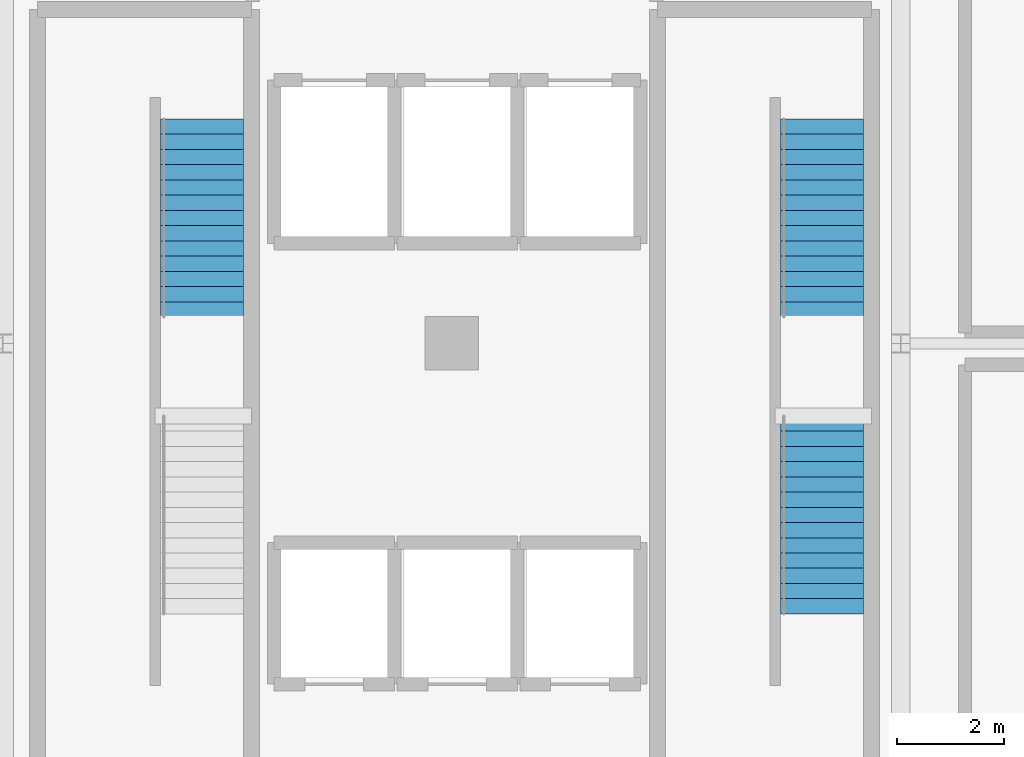
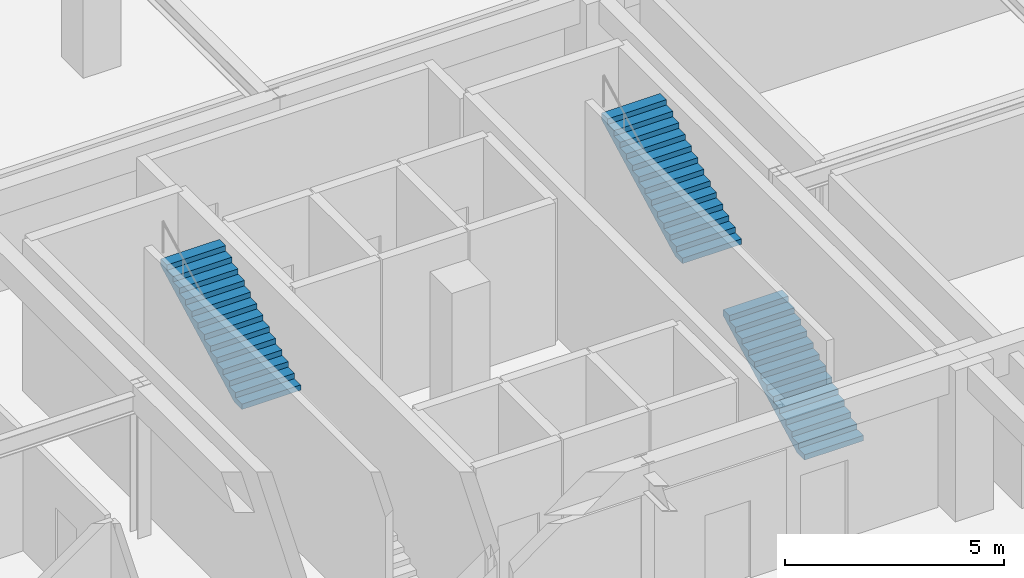
# One storey, part 30 of 32: 3 stair flights, 2 elements without a shape of their own.
"""IFC4 building model written with IfcOpenShell, lengths in metres."""

from ifc_helpers import new_model, si_unit, direction, frame, origin, place, context, subcontext, project, spatial, polyline, outline, extrude, material, layer, layer_set, type_object, element, aggregate, save


model = new_model("IFC4")

# Units and contexts
model_context = context("Model", 3, precision=1e-05, world=origin(), true_north=direction((0.0, 1.0)))
body_context = subcontext(model_context, "Body", "Model", "MODEL_VIEW")
ifc_project = project(units=[si_unit("LENGTHUNIT", "METRE"), si_unit("AREAUNIT", "SQUARE_METRE"), si_unit("VOLUMEUNIT", "CUBIC_METRE"), si_unit("PLANEANGLEUNIT", "RADIAN"), si_unit("MASSUNIT", "GRAM", prefix="KILO")], contexts=[model_context])

# Site, building, storey
site_placement = place(None, origin())
site = spatial("IfcSite", under=ifc_project, at=site_placement, CompositionType="ELEMENT")
building_placement = place(site_placement, origin())
building = spatial("IfcBuilding", under=site, at=building_placement, Name="Xuanlan Plaza Opera House", CompositionType="ELEMENT")
storey_placement = place(building_placement, frame((0.0, 0.0, 40.5)))
storey = spatial("IfcBuildingStorey", under=building, at=storey_placement, Name="L09", CompositionType="ELEMENT", Elevation=40.5)

# Stair, stair flight
ifc_material = material(Name="Concrete C40", Category="concrete")
stair_type = type_object("IfcStairType", Name="INT-ST-STR-T155", PredefinedType="STRAIGHT_RUN_STAIR", material=ifc_material)
stair_1_placement = place(storey_placement, origin())
stair_1 = element("IfcStair", 1, at=stair_1_placement, inside=storey, type_object=stair_type, Name="Protected Exit Stair ST-T1 L09", PredefinedType="STRAIGHT_RUN_STAIR")
ifc_layer = layer(ifc_material, 0.159912109375)
ifc_layer_set = layer_set([ifc_layer], Name="Concrete C40")
stair_flight_type = type_object("IfcStairFlightType", Name="INT-FL-FL-155", PredefinedType="STRAIGHT", material=ifc_layer_set)
stair_flight_1_placement = place(storey_placement, frame((138.125, 59.294921875, 2.10009765625), z_axis=(0.0, 0.0, 1.0), x_axis=(0.0, 1.0, 0.0)))
stair_flight_1 = element("IfcStairFlight", 2, at=stair_flight_1_placement, type_object=stair_flight_type, Name="ST-T1-L09 flight 2", NumberOfRisers=14, NumberOfTreads=13, PredefinedType="STRAIGHT", RiserHeight=0.15, TreadLength=0.285, context=body_context, shape_type="SweptSolid", body=[
    extrude(outline(polyline([(0.0, 0.0), (0.0, 0.14990234375), (0.284912109375, 0.14990234375), (0.284912109375, 0.300048828125), (0.570068359375, 0.300048828125), (0.570068359375, 0.449951171875), (0.85498046875, 0.449951171875), (0.85498046875, 0.60009765625), (1.139892578125, 0.60009765625), (1.139892578125, 0.75), (1.425048828125, 0.75), (1.425048828125, 0.89990234375), (1.7099609375, 0.89990234375), (1.7099609375, 1.050048828125), (1.9951171875, 1.050048828125), (1.9951171875, 1.199951171875), (2.280029296875, 1.199951171875), (2.280029296875, 1.35009765625), (2.56494140625, 1.35009765625), (2.56494140625, 1.5), (2.85009765625, 1.5), (2.85009765625, 1.64990234375), (3.135009765625, 1.64990234375), (3.135009765625, 1.800048828125), (3.419921875, 1.800048828125), (3.419921875, 1.949951171875), (3.705078125, 1.949951171875), (3.705078125, 2.10009765625), (3.705078125, 1.769287109375), (0.34326171875, 0.0), (0.0, 0.0)])), frame((0.0, 0.77490234375, 0.0), z_axis=(0.0, -1.0, 0.0), x_axis=(1.0, 0.0, 0.0)), (0.0, 0.0, 1.0), 1.550048828125),
])
aggregate(stair_1, [stair_flight_1])

# Stair, stair flights
stair_2_placement = place(storey_placement, origin())
stair_2 = element("IfcStair", 3, at=stair_2_placement, inside=storey, type_object=stair_type, Name="Protected Exit Stair ST-T2 L09", PredefinedType="STRAIGHT_RUN_STAIR")
stair_flight_2_placement = place(storey_placement, frame((149.72509765625, 53.739990234375, 0.0), z_axis=(0.0, 0.0, 1.0), x_axis=(0.0, 1.0, 0.0)))
stair_flight_2 = element("IfcStairFlight", 4, at=stair_flight_2_placement, type_object=stair_flight_type, Name="ST-T2-L09 flight 1", NumberOfRisers=14, NumberOfTreads=13, PredefinedType="STRAIGHT", RiserHeight=0.15, TreadLength=0.285, context=body_context, shape_type="SweptSolid", body=[
    extrude(outline(polyline([(0.0, 0.0), (0.0, 0.14990234375), (0.284912109375, 0.14990234375), (0.284912109375, 0.300048828125), (0.570068359375, 0.300048828125), (0.570068359375, 0.449951171875), (0.85498046875, 0.449951171875), (0.85498046875, 0.60009765625), (1.139892578125, 0.60009765625), (1.139892578125, 0.75), (1.425048828125, 0.75), (1.425048828125, 0.89990234375), (1.7099609375, 0.89990234375), (1.7099609375, 1.050048828125), (1.9951171875, 1.050048828125), (1.9951171875, 1.199951171875), (2.280029296875, 1.199951171875), (2.280029296875, 1.35009765625), (2.56494140625, 1.35009765625), (2.56494140625, 1.5), (2.85009765625, 1.5), (2.85009765625, 1.64990234375), (3.135009765625, 1.64990234375), (3.135009765625, 1.800048828125), (3.419921875, 1.800048828125), (3.419921875, 1.949951171875), (3.705078125, 1.949951171875), (3.705078125, 2.10009765625), (3.705078125, 1.769287109375), (0.34326171875, 0.0), (0.0, 0.0)])), frame((0.0, 0.77490234375, 0.0), z_axis=(0.0, -1.0, 0.0), x_axis=(1.0, 0.0, 0.0)), (0.0, 0.0, 1.0), 1.550048828125),
])
stair_flight_3_placement = place(storey_placement, frame((149.72509765625, 59.294921875, 2.10009765625), z_axis=(0.0, 0.0, 1.0), x_axis=(0.0, 1.0, 0.0)))
stair_flight_3 = element("IfcStairFlight", 5, at=stair_flight_3_placement, type_object=stair_flight_type, Name="ST-T2-L09 flight 2", NumberOfRisers=14, NumberOfTreads=13, PredefinedType="STRAIGHT", RiserHeight=0.15, TreadLength=0.285, context=body_context, shape_type="SweptSolid", body=[
    extrude(outline(polyline([(0.0, 0.0), (0.0, 0.14990234375), (0.284912109375, 0.14990234375), (0.284912109375, 0.300048828125), (0.570068359375, 0.300048828125), (0.570068359375, 0.449951171875), (0.85498046875, 0.449951171875), (0.85498046875, 0.60009765625), (1.139892578125, 0.60009765625), (1.139892578125, 0.75), (1.425048828125, 0.75), (1.425048828125, 0.89990234375), (1.7099609375, 0.89990234375), (1.7099609375, 1.050048828125), (1.9951171875, 1.050048828125), (1.9951171875, 1.199951171875), (2.280029296875, 1.199951171875), (2.280029296875, 1.35009765625), (2.56494140625, 1.35009765625), (2.56494140625, 1.5), (2.85009765625, 1.5), (2.85009765625, 1.64990234375), (3.135009765625, 1.64990234375), (3.135009765625, 1.800048828125), (3.419921875, 1.800048828125), (3.419921875, 1.949951171875), (3.705078125, 1.949951171875), (3.705078125, 2.10009765625), (3.705078125, 1.769287109375), (0.34326171875, 0.0), (0.0, 0.0)])), frame((0.0, 0.77490234375, 0.0), z_axis=(0.0, -1.0, 0.0), x_axis=(1.0, 0.0, 0.0)), (0.0, 0.0, 1.0), 1.550048828125),
])
aggregate(stair_2, [stair_flight_2, stair_flight_3])

save(model, "model.ifc")
